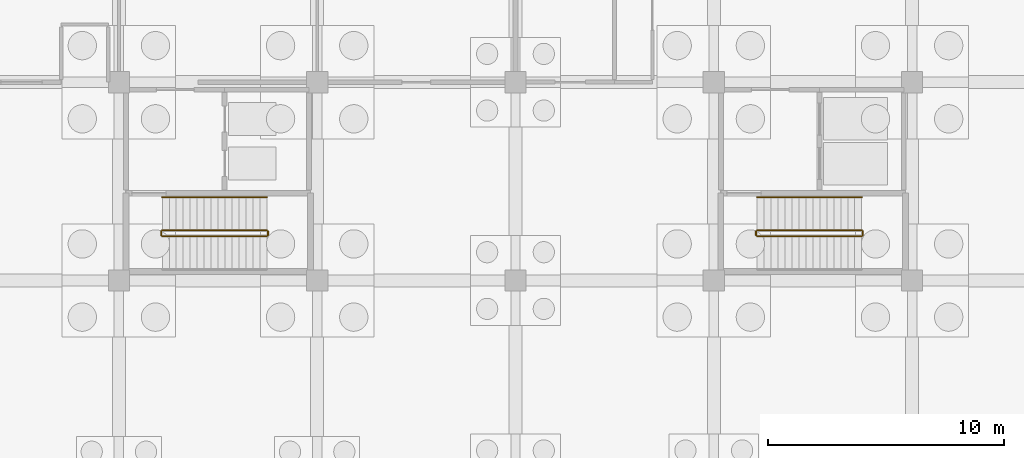
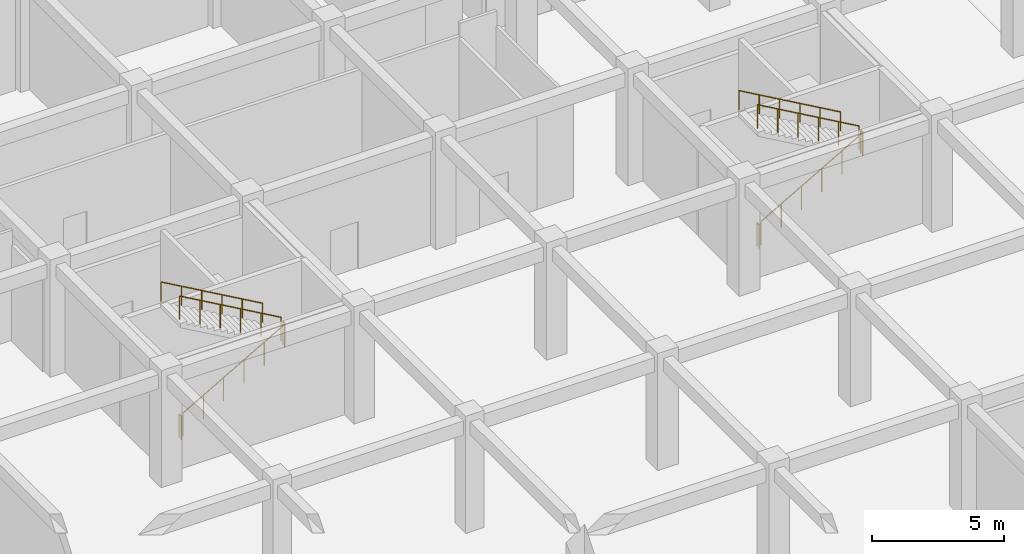
# One storey, part 60 of 65: 10 railings.
"""IFC4 building model written with IfcOpenShell, lengths in metres."""

from ifc_helpers import new_model, si_unit, direction, frame, origin, origin_2d, place, context, subcontext, project, spatial, circle, extrude, material, type_object, element, save


model = new_model("IFC4")

# Units and contexts
model_context = context("Model", 3, precision=1e-05, world=origin(), true_north=direction((0.0, 1.0)))
body_context = subcontext(model_context, "Body", "Model", "MODEL_VIEW")
ifc_project = project(units=[si_unit("LENGTHUNIT", "METRE"), si_unit("AREAUNIT", "SQUARE_METRE"), si_unit("VOLUMEUNIT", "CUBIC_METRE"), si_unit("PLANEANGLEUNIT", "RADIAN"), si_unit("MASSUNIT", "GRAM", prefix="KILO")], contexts=[model_context])

# Site, building, storey
site_placement = place(None, origin())
site = spatial("IfcSite", under=ifc_project, at=site_placement, CompositionType="ELEMENT")
building_placement = place(site_placement, origin())
building = spatial("IfcBuilding", under=site, at=building_placement, Name="Bramfleet General Hospital", CompositionType="ELEMENT")
storey_placement = place(building_placement, frame((0.0, 0.0, -5.39990234375)))
storey = spatial("IfcBuildingStorey", under=building, at=storey_placement, Name="B1", CompositionType="ELEMENT", Elevation=-5.39990234375)

# Railings
ifc_material_1 = material(Name="Powder-coated steel stair balustrade", Category="steel")
railing_type_1 = type_object("IfcRailingType", Name="RAIL-ST-GUARD", PredefinedType="GUARDRAIL", material=ifc_material_1)
railing_1_placement = place(storey_placement, frame((102.639892578125, 94.27001953125, 0.168701171875)))
element("IfcRailing", 1, at=railing_1_placement, inside=storey, type_object=railing_type_1, Name="B1 ST-C4 stair guard 1", PredefinedType="GUARDRAIL", context=body_context, shape_type="SweptSolid", body=[
    extrude(circle(Radius=0.02392578125, at=origin_2d()), frame((0.0, 0.0, 1.076171875), z_axis=(0.868019072493, 0.0, 0.49653085482), x_axis=(0.0, 1.0, 0.0)), (0.0, 0.0, 1.0), 5.097900390625),
    extrude(circle(Radius=0.02099609375, at=origin_2d()), origin(), (0.0, 0.0, 1.0), 1.052001953125),
    extrude(circle(Radius=0.02099609375, at=origin_2d()), frame((0.885009765625, 0.0, 0.50634765625)), (0.0, 0.0, 1.0), 1.052001953125),
    extrude(circle(Radius=0.02099609375, at=origin_2d()), frame((1.77001953125, 0.0, 1.012451171875)), (0.0, 0.0, 1.0), 1.052001953125),
    extrude(circle(Radius=0.02099609375, at=origin_2d()), frame((2.655029296875, 0.0, 1.518798828125)), (0.0, 0.0, 1.0), 1.052001953125),
    extrude(circle(Radius=0.02099609375, at=origin_2d()), frame((3.5400390625, 0.0, 2.02490234375)), (0.0, 0.0, 1.0), 1.052001953125),
    extrude(circle(Radius=0.02099609375, at=origin_2d()), frame((4.425048828125, 0.0, 2.53125)), (0.0, 0.0, 1.0), 1.052001953125),
])
railing_2_placement = place(storey_placement, frame((107.114990234375, 94.320068359375, 2.699951171875)))
element("IfcRailing", 2, at=railing_2_placement, inside=storey, type_object=railing_type_1, Name="B1 ST-C4 stair guard 2", PredefinedType="GUARDRAIL", context=body_context, shape_type="SweptSolid", body=[
    extrude(circle(Radius=0.02392578125, at=origin_2d()), frame((0.0, 0.0, 1.076171875), z_axis=(0.0, 1.0, 0.0), x_axis=(-1.0, 0.0, 0.0)), (0.0, 0.0, 1.0), 0.159912109375),
    extrude(circle(Radius=0.02099609375, at=origin_2d()), origin(), (0.0, 0.0, 1.0), 1.052001953125),
    extrude(circle(Radius=0.02099609375, at=origin_2d()), frame((0.0, 0.159912109375, 0.0)), (0.0, 0.0, 1.0), 1.052001953125),
])
railing_3_placement = place(storey_placement, frame((107.06494140625, 94.530029296875, 2.86865234375)))
element("IfcRailing", 3, at=railing_3_placement, inside=storey, type_object=railing_type_1, Name="B1 ST-C4 stair guard 3", PredefinedType="GUARDRAIL", context=body_context, shape_type="SweptSolid", body=[
    extrude(circle(Radius=0.02392578125, at=origin_2d()), frame((0.0, 0.0, 1.076171875), z_axis=(-0.868019072493, 0.0, 0.49653085482), x_axis=(0.0, -1.0, 0.0)), (0.0, 0.0, 1.0), 5.097900390625),
    extrude(circle(Radius=0.02099609375, at=origin_2d()), origin(), (0.0, 0.0, 1.0), 1.052001953125),
    extrude(circle(Radius=0.02099609375, at=origin_2d()), frame((-0.885009765625, 0.0, 0.50634765625)), (0.0, 0.0, 1.0), 1.052001953125),
    extrude(circle(Radius=0.02099609375, at=origin_2d()), frame((-1.77001953125, 0.0, 1.012451171875)), (0.0, 0.0, 1.0), 1.052001953125),
    extrude(circle(Radius=0.02099609375, at=origin_2d()), frame((-2.655029296875, 0.0, 1.518798828125)), (0.0, 0.0, 1.0), 1.052001953125),
    extrude(circle(Radius=0.02099609375, at=origin_2d()), frame((-3.5400390625, 0.0, 2.02490234375)), (0.0, 0.0, 1.0), 1.052001953125),
    extrude(circle(Radius=0.02099609375, at=origin_2d()), frame((-4.425048828125, 0.0, 2.53125)), (0.0, 0.0, 1.0), 1.052001953125),
])
railing_4_placement = place(storey_placement, frame((102.590087890625, 94.320068359375, 0.0)))
element("IfcRailing", 4, at=railing_4_placement, inside=storey, type_object=railing_type_1, Name="B1 ST-C4 stair guard 4", PredefinedType="GUARDRAIL", context=body_context, shape_type="SweptSolid", body=[
    extrude(circle(Radius=0.02392578125, at=origin_2d()), frame((0.0, 0.0, 1.076171875), z_axis=(0.0, 1.0, 0.0), x_axis=(-1.0, 0.0, 0.0)), (0.0, 0.0, 1.0), 0.159912109375),
    extrude(circle(Radius=0.02099609375, at=origin_2d()), origin(), (0.0, 0.0, 1.0), 1.052001953125),
    extrude(circle(Radius=0.02099609375, at=origin_2d()), frame((0.0, 0.159912109375, 0.0)), (0.0, 0.0, 1.0), 1.052001953125),
])
railing_5_placement = place(storey_placement, frame((77.43994140625, 94.27001953125, 0.168701171875)))
element("IfcRailing", 5, at=railing_5_placement, inside=storey, type_object=railing_type_1, Name="B1 ST-C5 stair guard 1", PredefinedType="GUARDRAIL", context=body_context, shape_type="SweptSolid", body=[
    extrude(circle(Radius=0.02392578125, at=origin_2d()), frame((0.0, 0.0, 1.076171875), z_axis=(0.868019072493, 0.0, 0.49653085482), x_axis=(0.0, 1.0, 0.0)), (0.0, 0.0, 1.0), 5.097900390625),
    extrude(circle(Radius=0.02099609375, at=origin_2d()), origin(), (0.0, 0.0, 1.0), 1.052001953125),
    extrude(circle(Radius=0.02099609375, at=origin_2d()), frame((0.885009765625, 0.0, 0.50634765625)), (0.0, 0.0, 1.0), 1.052001953125),
    extrude(circle(Radius=0.02099609375, at=origin_2d()), frame((1.77001953125, 0.0, 1.012451171875)), (0.0, 0.0, 1.0), 1.052001953125),
    extrude(circle(Radius=0.02099609375, at=origin_2d()), frame((2.655029296875, 0.0, 1.518798828125)), (0.0, 0.0, 1.0), 1.052001953125),
    extrude(circle(Radius=0.02099609375, at=origin_2d()), frame((3.5400390625, 0.0, 2.02490234375)), (0.0, 0.0, 1.0), 1.052001953125),
    extrude(circle(Radius=0.02099609375, at=origin_2d()), frame((4.425048828125, 0.0, 2.53125)), (0.0, 0.0, 1.0), 1.052001953125),
])
railing_6_placement = place(storey_placement, frame((81.9150390625, 94.320068359375, 2.699951171875)))
element("IfcRailing", 6, at=railing_6_placement, inside=storey, type_object=railing_type_1, Name="B1 ST-C5 stair guard 2", PredefinedType="GUARDRAIL", context=body_context, shape_type="SweptSolid", body=[
    extrude(circle(Radius=0.02392578125, at=origin_2d()), frame((0.0, 0.0, 1.076171875), z_axis=(0.0, 1.0, 0.0), x_axis=(-1.0, 0.0, 0.0)), (0.0, 0.0, 1.0), 0.159912109375),
    extrude(circle(Radius=0.02099609375, at=origin_2d()), origin(), (0.0, 0.0, 1.0), 1.052001953125),
    extrude(circle(Radius=0.02099609375, at=origin_2d()), frame((0.0, 0.159912109375, 0.0)), (0.0, 0.0, 1.0), 1.052001953125),
])
railing_7_placement = place(storey_placement, frame((81.864990234375, 94.530029296875, 2.86865234375)))
element("IfcRailing", 7, at=railing_7_placement, inside=storey, type_object=railing_type_1, Name="B1 ST-C5 stair guard 3", PredefinedType="GUARDRAIL", context=body_context, shape_type="SweptSolid", body=[
    extrude(circle(Radius=0.02392578125, at=origin_2d()), frame((0.0, 0.0, 1.076171875), z_axis=(-0.868019072493, 0.0, 0.49653085482), x_axis=(0.0, -1.0, 0.0)), (0.0, 0.0, 1.0), 5.097900390625),
    extrude(circle(Radius=0.02099609375, at=origin_2d()), origin(), (0.0, 0.0, 1.0), 1.052001953125),
    extrude(circle(Radius=0.02099609375, at=origin_2d()), frame((-0.885009765625, 0.0, 0.50634765625)), (0.0, 0.0, 1.0), 1.052001953125),
    extrude(circle(Radius=0.02099609375, at=origin_2d()), frame((-1.77001953125, 0.0, 1.012451171875)), (0.0, 0.0, 1.0), 1.052001953125),
    extrude(circle(Radius=0.02099609375, at=origin_2d()), frame((-2.655029296875, 0.0, 1.518798828125)), (0.0, 0.0, 1.0), 1.052001953125),
    extrude(circle(Radius=0.02099609375, at=origin_2d()), frame((-3.5400390625, 0.0, 2.02490234375)), (0.0, 0.0, 1.0), 1.052001953125),
    extrude(circle(Radius=0.02099609375, at=origin_2d()), frame((-4.425048828125, 0.0, 2.53125)), (0.0, 0.0, 1.0), 1.052001953125),
])
railing_8_placement = place(storey_placement, frame((77.389892578125, 94.320068359375, 0.0)))
element("IfcRailing", 8, at=railing_8_placement, inside=storey, type_object=railing_type_1, Name="B1 ST-C5 stair guard 4", PredefinedType="GUARDRAIL", context=body_context, shape_type="SweptSolid", body=[
    extrude(circle(Radius=0.02392578125, at=origin_2d()), frame((0.0, 0.0, 1.076171875), z_axis=(0.0, 1.0, 0.0), x_axis=(-1.0, 0.0, 0.0)), (0.0, 0.0, 1.0), 0.159912109375),
    extrude(circle(Radius=0.02099609375, at=origin_2d()), origin(), (0.0, 0.0, 1.0), 1.052001953125),
    extrude(circle(Radius=0.02099609375, at=origin_2d()), frame((0.0, 0.159912109375, 0.0)), (0.0, 0.0, 1.0), 1.052001953125),
])
ifc_material_2 = material(Name="Stainless steel 1.4301 stair handrail", Category="steel")
railing_type_2 = type_object("IfcRailingType", Name="RAIL-ST-HND", PredefinedType="HANDRAIL", material=ifc_material_2)
for number, where, name in (
    (9, (107.06494140625, 95.929931640625, 2.86865234375), "B1 ST-C4 stair handrail 2"),
    (10, (81.864990234375, 95.929931640625, 2.86865234375), "B1 ST-C5 stair handrail 2"),
):
    element("IfcRailing", number, at=place(storey_placement, frame(where)), inside=storey, type_object=railing_type_2, Name=name, PredefinedType="HANDRAIL", context=body_context, shape_type="SweptSolid", body=[
        extrude(circle(Radius=0.02392578125, at=origin_2d()), frame((0.0, 0.0, 0.8759765625), z_axis=(-0.868019072493, 0.0, 0.49653085482), x_axis=(0.0, -1.0, 0.0)), (0.0, 0.0, 1.0), 5.097900390625),
        extrude(circle(Radius=0.02099609375, at=origin_2d()), origin(), (0.0, 0.0, 1.0), 0.851806640625),
        extrude(circle(Radius=0.02099609375, at=origin_2d()), frame((-0.885009765625, 0.0, 0.50634765625)), (0.0, 0.0, 1.0), 0.851806640625),
        extrude(circle(Radius=0.02099609375, at=origin_2d()), frame((-1.77001953125, 0.0, 1.012451171875)), (0.0, 0.0, 1.0), 0.851806640625),
        extrude(circle(Radius=0.02099609375, at=origin_2d()), frame((-2.655029296875, 0.0, 1.518798828125)), (0.0, 0.0, 1.0), 0.851806640625),
        extrude(circle(Radius=0.02099609375, at=origin_2d()), frame((-3.5400390625, 0.0, 2.02490234375)), (0.0, 0.0, 1.0), 0.851806640625),
        extrude(circle(Radius=0.02099609375, at=origin_2d()), frame((-4.425048828125, 0.0, 2.53125)), (0.0, 0.0, 1.0), 0.851806640625),
    ])

save(model, "model.ifc")
